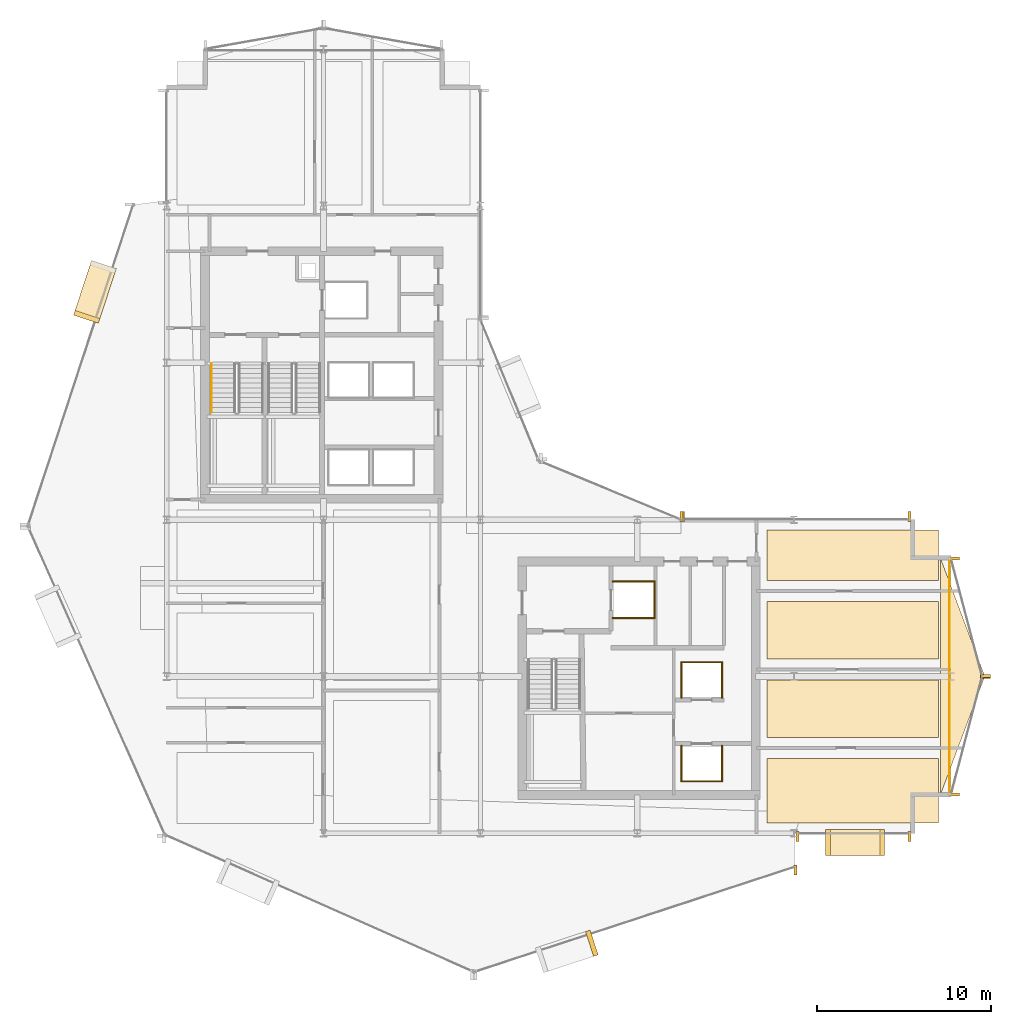
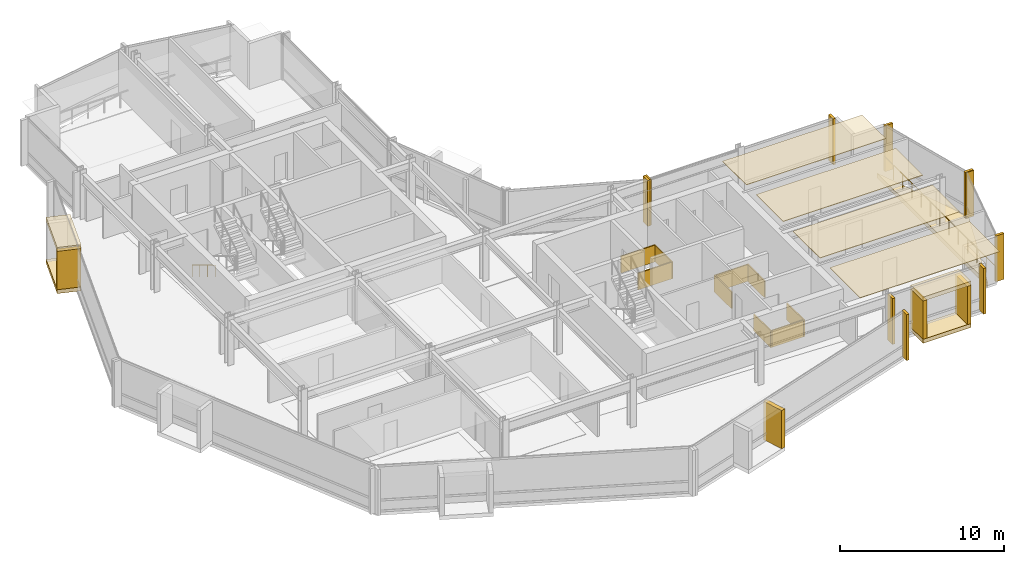
# One storey, part 28 of 29: 32 coverings, 2 railings.
"""IFC4 building model written with IfcOpenShell, lengths in metres."""

import ifcopenshell
import ifcopenshell.guid

model = None  # the IFC model being written
_history = None  # IfcOwnerHistory: only IFC2X3 demands one
_inside = {}  # id of a spatial element -> (the spatial element, [elements in it])
_under = {}  # id of a project, library or spatial element -> (it, [spatial elements below it])
_declared = {}  # id of a project -> (the project, [libraries it declares])
_typed = {}  # id of a type object -> (the type object, [elements of that type])
_made_of = {}  # id of a material, layer set ... -> (it, [elements and type objects made of it])


def new_model(schema):
    """Start an empty IFC model of exactly this schema.

    Asked for "IFC4X3", IfcOpenShell would pick the latest addendum, in which some entities
    have other attributes; the version numbers below select the first issue.
    IFC2X3 requires an IfcOwnerHistory on every rooted entity: one is made here for all.
    """
    global model, _history
    if schema == "IFC4X3":
        model = ifcopenshell.file(schema_version=(4, 3, 0, 0))
    else:
        model = ifcopenshell.file(schema=schema)
    _inside.clear()
    _under.clear()
    _declared.clear()
    _typed.clear()
    _made_of.clear()
    _history = None
    if model.schema == "IFC2X3":
        org = make("IfcOrganization", Name="unknown")
        user = make(
            "IfcPersonAndOrganization",
            ThePerson=make("IfcPerson", FamilyName="unknown"),
            TheOrganization=org,
        )
        app = make(
            "IfcApplication",
            ApplicationDeveloper=org,
            Version="unknown",
            ApplicationFullName="unknown",
            ApplicationIdentifier="unknown",
        )
        _history = make(
            "IfcOwnerHistory",
            OwningUser=user,
            OwningApplication=app,
            ChangeAction="ADDED",
            CreationDate=0,
        )
    return model


def make(cls, **values):
    """One entity of the class cls with the attributes given. An attribute that is None is left unset."""
    return model.create_entity(
        cls, **{name: value for name, value in values.items() if value is not None}
    )


def rooted(cls, **values):
    """An entity with a GlobalId (a new one), such as an element, a storey or a relation."""
    return make(cls, GlobalId=ifcopenshell.guid.new(), OwnerHistory=_history, **values)


def si_unit(unit_type, name, prefix=None):
    """IfcSIUnit, for example si_unit("LENGTHUNIT", "METRE", prefix="MILLI")."""
    return make("IfcSIUnit", UnitType=unit_type, Prefix=prefix, Name=name)


def assignment(units):
    """IfcUnitAssignment: the units of a project."""
    return None if units is None else make("IfcUnitAssignment", Units=units)


def point(xyz):
    """IfcCartesianPoint."""
    return None if xyz is None else make("IfcCartesianPoint", Coordinates=xyz)


def direction(xyz):
    """IfcDirection."""
    return None if xyz is None else make("IfcDirection", DirectionRatios=xyz)


def frame(location, z_axis=None, x_axis=None):
    """IfcAxis2Placement3D, a coordinate frame: its origin and axes. An axis left out is left unset."""
    return make(
        "IfcAxis2Placement3D",
        Location=point(location),
        Axis=direction(z_axis),
        RefDirection=direction(x_axis),
    )


def frame_2d(location, x_axis=None):
    """IfcAxis2Placement2D, a coordinate frame in the plane: its origin and x axis."""
    return make(
        "IfcAxis2Placement2D", Location=point(location), RefDirection=direction(x_axis)
    )


def origin():
    """The frame at (0, 0, 0) with its axes left unset."""
    return frame((0.0, 0.0, 0.0))


def origin_2d():
    """The frame at (0, 0) in the plane with its x axis left unset."""
    return frame_2d((0.0, 0.0))


def place(relative_to, where):
    """IfcLocalPlacement: puts the frame where relative to a parent placement (None: the world)."""
    return make(
        "IfcLocalPlacement", PlacementRelTo=relative_to, RelativePlacement=where
    )


def context(
    kind, dimensions, precision=None, world=None, true_north=None, identifier=None
):
    """IfcGeometricRepresentationContext, for example the 3D "Model" context."""
    return make(
        "IfcGeometricRepresentationContext",
        ContextIdentifier=identifier,
        ContextType=kind,
        CoordinateSpaceDimension=dimensions,
        Precision=precision,
        WorldCoordinateSystem=world,
        TrueNorth=true_north,
    )


def subcontext(parent, identifier, kind, view, scale=None):
    """IfcGeometricRepresentationSubContext, for example "Body" below "Model"."""
    return make(
        "IfcGeometricRepresentationSubContext",
        ContextIdentifier=identifier,
        ContextType=kind,
        ParentContext=parent,
        TargetScale=scale,
        TargetView=view,
    )


def project(units=None, contexts=None):
    """IfcProject with its units and contexts."""
    return rooted(
        "IfcProject",
        Name="project",
        RepresentationContexts=contexts,
        UnitsInContext=assignment(units),
    )


def spatial(cls, under=None, at=None, **own):
    """A site, building, storey or space (cls), placed at a placement, below another one or the project."""
    s = rooted(cls, ObjectPlacement=at, **own)
    if under is not None:
        _under.setdefault(under.id(), (under, []))[1].append(s)
    return s


def polyline(points):
    """IfcPolyline through the points."""
    return make("IfcPolyline", Points=[point(p) for p in points])


def profile(cls, at=None, kind="AREA", **sizes):
    """A parametric profile (cls). Its sizes go by their IFC names, for example OverallWidth=200.0."""
    return make(cls, ProfileType=kind, Position=at, **sizes)


def rectangle(**sizes):
    """IfcRectangleProfileDef."""
    return profile("IfcRectangleProfileDef", **sizes)


def circle(**sizes):
    """IfcCircleProfileDef."""
    return profile("IfcCircleProfileDef", **sizes)


def outline(outer, holes=None, kind="AREA"):
    """IfcArbitraryClosedProfileDef: a profile drawn as a closed curve; with holes, ...WithVoids."""
    if holes is None:
        return make("IfcArbitraryClosedProfileDef", ProfileType=kind, OuterCurve=outer)
    return make(
        "IfcArbitraryProfileDefWithVoids",
        ProfileType=kind,
        OuterCurve=outer,
        InnerCurves=holes,
    )


def extrude(swept, where, along, depth):
    """IfcExtrudedAreaSolid: the profile swept, set in the frame where, extruded along a direction by depth."""
    return make(
        "IfcExtrudedAreaSolid",
        SweptArea=swept,
        Position=where,
        ExtrudedDirection=direction(along),
        Depth=depth,
    )


def shape(context_of_items, identifier, shape_type, items):
    """IfcShapeRepresentation: the items that make up one representation, for example the "Body"."""
    return make(
        "IfcShapeRepresentation",
        ContextOfItems=context_of_items,
        RepresentationIdentifier=identifier,
        RepresentationType=shape_type,
        Items=items,
    )


def material(Name=None, Category=None):
    """IfcMaterial."""
    return make("IfcMaterial", Name=Name, Category=Category)


def layer(
    of_material, thickness, ventilated=None, Name=None, Category=None, Priority=None
):
    """IfcMaterialLayer: one layer of a wall or slab, of a material (None: an air gap)."""
    return make(
        "IfcMaterialLayer",
        Material=of_material,
        LayerThickness=thickness,
        IsVentilated=ventilated,
        Name=Name,
        Category=Category,
        Priority=Priority,
    )


def layer_set(layers, Name=None):
    """IfcMaterialLayerSet."""
    return make("IfcMaterialLayerSet", MaterialLayers=layers, LayerSetName=Name)


def made_of(thing, what):
    """Note that an element or type object is made of a material, layer set ...; save() writes the relation."""
    if what is not None:
        _made_of.setdefault(what.id(), (what, []))[1].append(thing)
    return thing


def type_object(cls, material=None, **own):
    """A type object (cls), such as IfcWallType, which elements share."""
    return made_of(rooted(cls, **own), material)


def element(
    cls,
    number,
    at=None,
    inside=None,
    cuts=None,
    type_object=None,
    material=None,
    context=None,
    identifier="Body",
    shape_type=None,
    held_by="IfcProductDefinitionShape",
    body=None,
    shapes=None,
    **own,
):
    """One element of the class cls, such as IfcWall. Its Tag is "e" and its number.

    at: its placement. inside: the storey or other place that contains it. cuts: it is an
    opening in that element (IfcRelVoidsElement). A single representation is given by context,
    identifier, shape_type and body (its items); several are given by shapes. held_by: the class
    of the entity that holds the representations. save() writes the other relations.
    """
    e = rooted(cls, Tag="e%d" % number, ObjectPlacement=at, **own)
    if body is not None:
        shapes = [shape(context, identifier, shape_type, body)]
    if shapes is not None:
        e.Representation = make(held_by, Representations=shapes)
    if inside is not None:
        _inside.setdefault(inside.id(), (inside, []))[1].append(e)
    if cuts is not None:
        rooted(
            "IfcRelVoidsElement", RelatingBuildingElement=cuts, RelatedOpeningElement=e
        )
    if type_object is not None:
        _typed.setdefault(type_object.id(), (type_object, []))[1].append(e)
    return made_of(e, material)


def aggregate(whole, parts):
    """IfcRelAggregates: a whole, such as a stair, and the parts it consists of."""
    return rooted("IfcRelAggregates", RelatingObject=whole, RelatedObjects=parts)


def save(model, path):
    """Write the relations noted so far, then the file.

    IfcRelAggregates (storeys below a building ...), IfcRelContainedInSpatialStructure (elements
    in a storey), IfcRelDefinesByType, IfcRelAssociatesMaterial and IfcRelDeclares: one each for
    every whole, place, type object, material and project.
    """
    for whole, parts in _under.values():
        aggregate(whole, parts)
    for where, things in _inside.values():
        rooted(
            "IfcRelContainedInSpatialStructure",
            RelatedElements=things,
            RelatingStructure=where,
        )
    for kind, things in _typed.values():
        rooted("IfcRelDefinesByType", RelatedObjects=things, RelatingType=kind)
    for what, things in _made_of.values():
        rooted("IfcRelAssociatesMaterial", RelatedObjects=things, RelatingMaterial=what)
    for by, libraries in _declared.values():
        rooted("IfcRelDeclares", RelatingContext=by, RelatedDefinitions=libraries)
    model.write(path)


model = new_model("IFC4")

# Units and contexts
model_context = context("Model", 3, precision=1e-05, world=origin(), true_north=direction((0.0, 1.0)))
body_context = subcontext(model_context, "Body", "Model", "MODEL_VIEW")
ifc_project = project(units=[si_unit("LENGTHUNIT", "METRE"), si_unit("AREAUNIT", "SQUARE_METRE"), si_unit("VOLUMEUNIT", "CUBIC_METRE"), si_unit("PLANEANGLEUNIT", "RADIAN"), si_unit("MASSUNIT", "GRAM", prefix="KILO")], contexts=[model_context])

# Site, building, storey
site_placement = place(None, origin())
site = spatial("IfcSite", under=ifc_project, at=site_placement, CompositionType="ELEMENT")
building_placement = place(site_placement, origin())
building = spatial("IfcBuilding", under=site, at=building_placement, Name="Solvaryn Broadcast Tower", CompositionType="ELEMENT")
storey_placement = place(building_placement, frame((0.0, 0.0, 143.300048828125)))
storey = spatial("IfcBuildingStorey", under=building, at=storey_placement, Name="L35", CompositionType="ELEMENT", Elevation=143.300048828125)

# Coverings
ifc_material_1 = material(Name="Micro-Perforated Acoustic Gypsum Ceiling", Category="concrete")
ifc_layer_1 = layer(ifc_material_1, 0.0400390625)
ifc_layer_set_1 = layer_set([ifc_layer_1], Name="CV-CEIL-ACOUSTIC")
covering_type_1 = type_object("IfcCoveringType", Name="CV-CEIL-ACOUSTIC", PredefinedType="CEILING", material=ifc_layer_set_1)
covering_1_placement = place(storey_placement, frame((0.0, 0.0, 3.3798828125)))
element("IfcCovering", 1, at=covering_1_placement, inside=storey, type_object=covering_type_1, Name="L35 Room Acoustic Ceiling 9", PredefinedType="CEILING", context=body_context, shape_type="SweptSolid", body=[
    extrude(outline(polyline([(43.449951171875, 9.60009765625), (53.300048828125, 9.60009765625), (53.300048828125, 13.300048828125), (43.449951171875, 13.300048828125), (43.449951171875, 9.60009765625)])), origin(), (0.0, 0.0, 1.0), 0.0400390625),
])
covering_2_placement = place(storey_placement, frame((0.0, 0.0, 3.3798828125)))
element("IfcCovering", 2, at=covering_2_placement, inside=storey, type_object=covering_type_1, Name="L35 Room Acoustic Ceiling 10", PredefinedType="CEILING", context=body_context, shape_type="SweptSolid", body=[
    extrude(outline(polyline([(43.449951171875, 14.5), (53.300048828125, 14.5), (53.300048828125, 17.800048828125), (43.449951171875, 17.800048828125), (43.449951171875, 14.5)])), origin(), (0.0, 0.0, 1.0), 0.0400390625),
])
covering_3_placement = place(storey_placement, frame((0.0, 0.0, 3.3798828125)))
element("IfcCovering", 3, at=covering_3_placement, inside=storey, type_object=covering_type_1, Name="L35 Room Acoustic Ceiling 11", PredefinedType="CEILING", context=body_context, shape_type="SweptSolid", body=[
    extrude(outline(polyline([(43.449951171875, 19.0), (53.300048828125, 19.0), (53.300048828125, 22.300048828125), (43.449951171875, 22.300048828125), (43.449951171875, 19.0)])), origin(), (0.0, 0.0, 1.0), 0.0400390625),
])
covering_4_placement = place(storey_placement, frame((0.0, 0.0, 3.3798828125)))
element("IfcCovering", 4, at=covering_4_placement, inside=storey, type_object=covering_type_1, Name="L35 Room Acoustic Ceiling 12", PredefinedType="CEILING", context=body_context, shape_type="SweptSolid", body=[
    extrude(outline(polyline([(43.449951171875, 23.5), (53.300048828125, 23.5), (53.300048828125, 26.39990234375), (43.449951171875, 26.39990234375), (43.449951171875, 23.5)])), origin(), (0.0, 0.0, 1.0), 0.0400390625),
])
ifc_material_2 = material(Name="Fire-Rated Gypsum Shaftwall Liner", Category="concrete")
ifc_layer_2 = layer(ifc_material_2, 0.080078125)
ifc_layer_set_2 = layer_set([ifc_layer_2], Name="CV-SHAFT-LINER")
covering_type_2 = type_object("IfcCoveringType", Name="CV-SHAFT-LINER", PredefinedType="CLADDING", material=ifc_layer_set_2)
for number, where, z_axis, x_axis, name in (
    (5, (35.800048828125, 23.43994140625, 0.0), (0.0, 0.0, 1.0), (1.0, 0.0, 0.0), "L35 FL2 Hoistway Shaft Liner North"),
    (6, (35.800048828125, 21.360107421875, 0.0), (0.0, 0.0, 1.0), (1.0, 0.0, 0.0), "L35 FL2 Hoistway Shaft Liner South"),
):
    element("IfcCovering", number, at=place(storey_placement, frame(where, z_axis=z_axis, x_axis=x_axis)), inside=storey, type_object=covering_type_2, Name=name, PredefinedType="CLADDING", context=body_context, shape_type="SweptSolid", body=[
        extrude(rectangle(XDim=2.4599609375, YDim=0.080078125, at=origin_2d()), origin(), (0.0, 0.0, 1.0), 1.25),
    ])
covering_5_placement = place(storey_placement, frame((36.989990234375, 22.39990234375, 0.0), z_axis=(0.0, 0.0, 1.0), x_axis=(1.0, 0.0, 0.0)))
element("IfcCovering", 7, at=covering_5_placement, inside=storey, type_object=covering_type_2, Name="L35 FL2 Hoistway Shaft Liner East", PredefinedType="CLADDING", context=body_context, shape_type="SweptSolid", body=[
    extrude(rectangle(XDim=0.080078125, YDim=2.159912109375, at=origin_2d()), origin(), (0.0, 0.0, 1.0), 1.25),
])
covering_6_placement = place(storey_placement, frame((39.699951171875, 11.985107421875, 0.0), z_axis=(0.0, 0.0, 1.0), x_axis=(1.0, 0.0, 0.0)))
element("IfcCovering", 8, at=covering_6_placement, inside=storey, type_object=covering_type_2, Name="L35 PM1 Hoistway Shaft Liner South", PredefinedType="CLADDING", context=body_context, shape_type="SweptSolid", body=[
    extrude(rectangle(XDim=2.409912109375, YDim=0.080078125, at=origin_2d()), origin(), (0.0, 0.0, 1.0), 1.25),
])
for number, where, z_axis, x_axis, name in (
    (9, (40.864990234375, 13.0, 0.0), (0.0, 0.0, 1.0), (1.0, 0.0, 0.0), "L35 PM1 Hoistway Shaft Liner East"),
    (10, (38.534912109375, 13.0, 0.0), (0.0, 0.0, 1.0), (1.0, 0.0, 0.0), "L35 PM1 Hoistway Shaft Liner West"),
):
    element("IfcCovering", number, at=place(storey_placement, frame(where, z_axis=z_axis, x_axis=x_axis)), inside=storey, type_object=covering_type_2, Name=name, PredefinedType="CLADDING", context=body_context, shape_type="SweptSolid", body=[
        extrude(rectangle(XDim=0.080078125, YDim=2.110107421875, at=origin_2d()), origin(), (0.0, 0.0, 1.0), 1.25),
    ])
covering_7_placement = place(storey_placement, frame((39.699951171875, 18.81494140625, 0.0), z_axis=(0.0, 0.0, 1.0), x_axis=(1.0, 0.0, 0.0)))
element("IfcCovering", 11, at=covering_7_placement, inside=storey, type_object=covering_type_2, Name="L35 PM2 Hoistway Shaft Liner North", PredefinedType="CLADDING", context=body_context, shape_type="SweptSolid", body=[
    extrude(rectangle(XDim=2.409912109375, YDim=0.080078125, at=origin_2d()), origin(), (0.0, 0.0, 1.0), 1.25),
])
for number, where, z_axis, x_axis, name in (
    (12, (40.864990234375, 17.800048828125, 0.0), (0.0, 0.0, 1.0), (1.0, 0.0, 0.0), "L35 PM2 Hoistway Shaft Liner East"),
    (13, (38.534912109375, 17.800048828125, 0.0), (0.0, 0.0, 1.0), (1.0, 0.0, 0.0), "L35 PM2 Hoistway Shaft Liner West"),
):
    element("IfcCovering", number, at=place(storey_placement, frame(where, z_axis=z_axis, x_axis=x_axis)), inside=storey, type_object=covering_type_2, Name=name, PredefinedType="CLADDING", context=body_context, shape_type="SweptSolid", body=[
        extrude(rectangle(XDim=0.080078125, YDim=2.110107421875, at=origin_2d()), origin(), (0.0, 0.0, 1.0), 1.25),
    ])
ifc_material_3 = material(Name="Glazed Architectural Terracotta Rainscreen Cladding", Category="masonry")
ifc_layer_3 = layer(ifc_material_3, 0.280029296875)
ifc_layer_set_3 = layer_set([ifc_layer_3], Name="CV-TC-CLAD")
covering_type_3 = type_object("IfcCoveringType", Name="CV-TC-CLAD", PredefinedType="CLADDING", material=ifc_layer_set_3)
for number, where, z_axis, x_axis, name in (
    (14, (4.883056640625, 40.071044921875, 3.1298828125), (0.0, 0.0, 1.0), (-0.311671636848, -0.950189870912, 0.0), "L35 Projecting Stone Window Box Hood 1"),
    (15, (4.883056640625, 40.071044921875, -0.01025390625), (0.0, 0.0, 1.0), (-0.311671636848, -0.950189870912, 0.0), "L35 Projecting Stone Window Box Sill 1"),
):
    element("IfcCovering", number, at=place(storey_placement, frame(where, z_axis=z_axis, x_axis=x_axis)), inside=storey, type_object=covering_type_3, Name=name, PredefinedType="CLADDING", context=body_context, shape_type="SweptSolid", body=[
        extrude(rectangle(XDim=3.300048828125, YDim=1.5, at=origin_2d()), origin(), (0.0, 0.0, 1.0), 0.300048828125),
    ])
for number, where, z_axis, x_axis, name in (
    (16, (4.412353515625, 38.63623046875, 0.27978515625), (0.0, 0.0, 1.0), (-0.311671636848, -0.950189870912, 0.0), "L35 Projecting Stone Window Box Cheek 1-2"),
    (17, (33.396728515625, 2.693603515625, 0.27978515625), (0.0, 0.0, 1.0), (0.950189870912, 0.311671636848, 0.0), "L35 Projecting Stone Window Box Cheek 4-2"),
):
    element("IfcCovering", number, at=place(storey_placement, frame(where, z_axis=z_axis, x_axis=x_axis)), inside=storey, type_object=covering_type_3, Name=name, PredefinedType="CLADDING", context=body_context, shape_type="SweptSolid", body=[
        extrude(rectangle(XDim=0.280029296875, YDim=1.5, at=origin_2d()), origin(), (0.0, 0.0, 1.0), 2.860107421875),
    ])
for number, where, z_axis, x_axis, name in (
    (18, (48.5, 8.469970703125, 3.1298828125), (0.0, 0.0, 1.0), (1.0, 0.0, 0.0), "L35 Projecting Stone Window Box Hood 6"),
    (19, (48.5, 8.469970703125, -0.01025390625), (0.0, 0.0, 1.0), (1.0, 0.0, 0.0), "L35 Projecting Stone Window Box Sill 6"),
):
    element("IfcCovering", number, at=place(storey_placement, frame(where, z_axis=z_axis, x_axis=x_axis)), inside=storey, type_object=covering_type_3, Name=name, PredefinedType="CLADDING", context=body_context, shape_type="SweptSolid", body=[
        extrude(rectangle(XDim=3.39990234375, YDim=1.5, at=origin_2d()), origin(), (0.0, 0.0, 1.0), 0.300048828125),
    ])
for number, where, z_axis, x_axis, name in (
    (20, (46.93994140625, 8.469970703125, 0.27978515625), (0.0, 0.0, 1.0), (1.0, 0.0, 0.0), "L35 Projecting Stone Window Box Cheek 6-1"),
    (21, (50.06005859375, 8.469970703125, 0.27978515625), (0.0, 0.0, 1.0), (1.0, 0.0, 0.0), "L35 Projecting Stone Window Box Cheek 6-2"),
):
    element("IfcCovering", number, at=place(storey_placement, frame(where, z_axis=z_axis, x_axis=x_axis)), inside=storey, type_object=covering_type_3, Name=name, PredefinedType="CLADDING", context=body_context, shape_type="SweptSolid", body=[
        extrude(rectangle(XDim=0.280029296875, YDim=1.5, at=origin_2d()), origin(), (0.0, 0.0, 1.0), 2.860107421875),
    ])
ifc_material_4 = material(Name="Extruded Architectural Terracotta Fin", Category="masonry")
ifc_layer_4 = layer(ifc_material_4, 0.179931640625)
ifc_layer_set_4 = layer_set([ifc_layer_4], Name="CV-TC-FIN")
covering_type_4 = type_object("IfcCoveringType", Name="CV-TC-FIN", PredefinedType="USERDEFINED", material=ifc_layer_set_4)
for number, where, z_axis, x_axis, name in (
    (22, (45.0947265625, 6.898681640625, 0.0), (0.0, 0.0, 1.0), (1.0, 0.0, 0.0), "L35 Terracotta Vertical Fin FIN-L35-DR4-M01"),
    (23, (38.541259765625, 27.177978515625, 0.0), (0.0, 0.0, 1.0), (1.0, 0.0, 0.0), "L35 Terracotta Vertical Fin FIN-L35-CN1-M00"),
    (24, (45.197021484375, 8.8125, 0.0), (0.0, 0.0, 1.0), (1.0, 0.0, 0.0), "L35 Terracotta Vertical Fin FIN-L35-S2-M00"),
    (25, (51.6201171875, 8.8125, 0.0), (0.0, 0.0, 1.0), (1.0, 0.0, 0.0), "L35 Terracotta Vertical Fin FIN-L35-S2-M01"),
):
    element("IfcCovering", number, at=place(storey_placement, frame(where, z_axis=z_axis, x_axis=x_axis)), inside=storey, type_object=covering_type_4, Name=name, ObjectType="FIN", PredefinedType="USERDEFINED", context=body_context, shape_type="SweptSolid", body=[
        extrude(rectangle(XDim=0.179931640625, YDim=0.580078125, at=origin_2d()), origin(), (0.0, 0.0, 1.0), 3.419921875),
    ])
for number, where, z_axis, x_axis, name in (
    (26, (54.1953125, 24.77099609375, 0.0), (0.0, 0.0, 1.0), (1.0, 0.0, 0.0), "L35 Terracotta Vertical Fin FIN-L35-ET1-M00"),
    (27, (55.979736328125, 18.029052734375, 0.0), (0.0, 0.0, 1.0), (1.0, 0.0, 0.0), "L35 Terracotta Vertical Fin FIN-L35-ET1-M01"),
    (28, (55.979736328125, 17.970947265625, 0.0), (0.0, 0.0, 1.0), (1.0, 0.0, 0.0), "L35 Terracotta Vertical Fin FIN-L35-ET2-M00"),
    (29, (54.1953125, 11.22900390625, 0.0), (0.0, 0.0, 1.0), (1.0, 0.0, 0.0), "L35 Terracotta Vertical Fin FIN-L35-ET2-M01"),
):
    element("IfcCovering", number, at=place(storey_placement, frame(where, z_axis=z_axis, x_axis=x_axis)), inside=storey, type_object=covering_type_4, Name=name, ObjectType="FIN", PredefinedType="USERDEFINED", context=body_context, shape_type="SweptSolid", body=[
        extrude(rectangle(XDim=0.580078125, YDim=0.179931640625, at=origin_2d()), origin(), (0.0, 0.0, 1.0), 3.419921875),
    ])
for number, where, z_axis, x_axis, name in (
    (30, (38.6298828125, 27.1875, 0.0), (0.0, 0.0, 1.0), (1.0, 0.0, 0.0), "L35 Terracotta Vertical Fin FIN-L35-IH-M00"),
    (31, (51.6201171875, 27.1875, 0.0), (0.0, 0.0, 1.0), (1.0, 0.0, 0.0), "L35 Terracotta Vertical Fin FIN-L35-IH-M01"),
):
    element("IfcCovering", number, at=place(storey_placement, frame(where, z_axis=z_axis, x_axis=x_axis)), inside=storey, type_object=covering_type_4, Name=name, ObjectType="FIN", PredefinedType="USERDEFINED", context=body_context, shape_type="SweptSolid", body=[
        extrude(rectangle(XDim=0.179931640625, YDim=0.580078125, at=origin_2d()), origin(), (0.0, 0.0, 1.0), 3.419921875),
    ])
ifc_material_5 = material(Name="Sculpted Architectural Terracotta Wave Fascia", Category="masonry")
ifc_layer_5 = layer(ifc_material_5, 0.340087890625)
ifc_layer_set_5 = layer_set([ifc_layer_5], Name="CV-WAVE-TRAY")
covering_type_5 = type_object("IfcCoveringType", Name="CV-WAVE-TRAY", PredefinedType="CLADDING", material=ifc_layer_set_5)
covering_8_placement = place(storey_placement, frame((0.0, 0.0, -0.300048828125)))
element("IfcCovering", 32, at=covering_8_placement, inside=storey, type_object=covering_type_5, Name="L35 East Curved Wing Deck", PredefinedType="CLADDING", context=body_context, shape_type="SweptSolid", body=[
    extrude(outline(polyline([(53.39990234375, 11.199951171875), (55.949951171875, 18.0), (53.39990234375, 24.800048828125), (53.39990234375, 11.199951171875)])), origin(), (0.0, 0.0, 1.0), 0.330078125),
])

# Railings
ifc_material_6 = material(Name="Brushed Stainless Steel Tubular Handrail", Category="steel")
railing_type_1 = type_object("IfcRailingType", Name="RL-STAIR-HANDRAIL", PredefinedType="HANDRAIL", material=ifc_material_6)
railing_1_placement = place(storey_placement, frame((11.570068359375, 35.9599609375, 0.168212890625)))
element("IfcRailing", 33, at=railing_1_placement, inside=storey, type_object=railing_type_1, Name="L35 ST1 stair handrail 1", PredefinedType="HANDRAIL", context=body_context, shape_type="SweptSolid", body=[
    extrude(circle(Radius=0.02392578125, at=origin_2d()), frame((0.0, 0.0, 0.8759765625), z_axis=(0.0, -0.857275202839, 0.514858452973), x_axis=(1.0, 0.0, 0.0)), (0.0, 0.0, 1.0), 3.26611328125),
    extrude(circle(Radius=0.02099609375, at=origin_2d()), origin(), (0.0, 0.0, 1.0), 0.851806640625),
    extrude(circle(Radius=0.02099609375, at=origin_2d()), frame((0.0, -0.933349609375, 0.560546875)), (0.0, 0.0, 1.0), 0.851806640625),
    extrude(circle(Radius=0.02099609375, at=origin_2d()), frame((0.0, -1.86669921875, 1.12109375)), (0.0, 0.0, 1.0), 0.851806640625),
    extrude(circle(Radius=0.02099609375, at=origin_2d()), frame((0.0, -2.800048828125, 1.681640625)), (0.0, 0.0, 1.0), 0.851806640625),
])
ifc_material_7 = material(Name="Stainless Steel and Laminated Glass Guard", Category="steel")
railing_type_2 = type_object("IfcRailingType", Name="RL-TER-1150", PredefinedType="BALUSTRADE", material=ifc_material_7)
railing_2_placement = place(storey_placement, frame((53.919921875, 11.199951171875, 0.0)))
element("IfcRailing", 34, at=railing_2_placement, inside=storey, type_object=railing_type_2, Name="L35 East Wing Spandrel Edge Guard", PredefinedType="BALUSTRADE", context=body_context, shape_type="SweptSolid", body=[
    extrude(circle(Radius=0.02392578125, at=origin_2d()), frame((0.0, 0.0, 1.1259765625), z_axis=(0.0, 1.0, 0.0), x_axis=(-1.0, 0.0, 0.0)), (0.0, 0.0, 1.0), 13.60009765625),
    extrude(circle(Radius=0.02099609375, at=origin_2d()), origin(), (0.0, 0.0, 1.0), 1.101806640625),
    extrude(circle(Radius=0.02099609375, at=origin_2d()), frame((0.0, 1.13330078125, 0.0)), (0.0, 0.0, 1.0), 1.101806640625),
    extrude(circle(Radius=0.02099609375, at=origin_2d()), frame((0.0, 2.2666015625, 0.0)), (0.0, 0.0, 1.0), 1.101806640625),
    extrude(circle(Radius=0.02099609375, at=origin_2d()), frame((0.0, 3.39990234375, 0.0)), (0.0, 0.0, 1.0), 1.101806640625),
    extrude(circle(Radius=0.02099609375, at=origin_2d()), frame((0.0, 4.533447265625, 0.0)), (0.0, 0.0, 1.0), 1.101806640625),
    extrude(circle(Radius=0.02099609375, at=origin_2d()), frame((0.0, 5.666748046875, 0.0)), (0.0, 0.0, 1.0), 1.101806640625),
    extrude(circle(Radius=0.02099609375, at=origin_2d()), frame((0.0, 6.800048828125, 0.0)), (0.0, 0.0, 1.0), 1.101806640625),
    extrude(circle(Radius=0.02099609375, at=origin_2d()), frame((0.0, 7.933349609375, 0.0)), (0.0, 0.0, 1.0), 1.101806640625),
    extrude(circle(Radius=0.02099609375, at=origin_2d()), frame((0.0, 9.066650390625, 0.0)), (0.0, 0.0, 1.0), 1.101806640625),
    extrude(circle(Radius=0.02099609375, at=origin_2d()), frame((0.0, 10.2001953125, 0.0)), (0.0, 0.0, 1.0), 1.101806640625),
    extrude(circle(Radius=0.02099609375, at=origin_2d()), frame((0.0, 11.33349609375, 0.0)), (0.0, 0.0, 1.0), 1.101806640625),
    extrude(circle(Radius=0.02099609375, at=origin_2d()), frame((0.0, 12.466796875, 0.0)), (0.0, 0.0, 1.0), 1.101806640625),
    extrude(circle(Radius=0.02099609375, at=origin_2d()), frame((0.0, 13.60009765625, 0.0)), (0.0, 0.0, 1.0), 1.101806640625),
])

save(model, "model.ifc")
